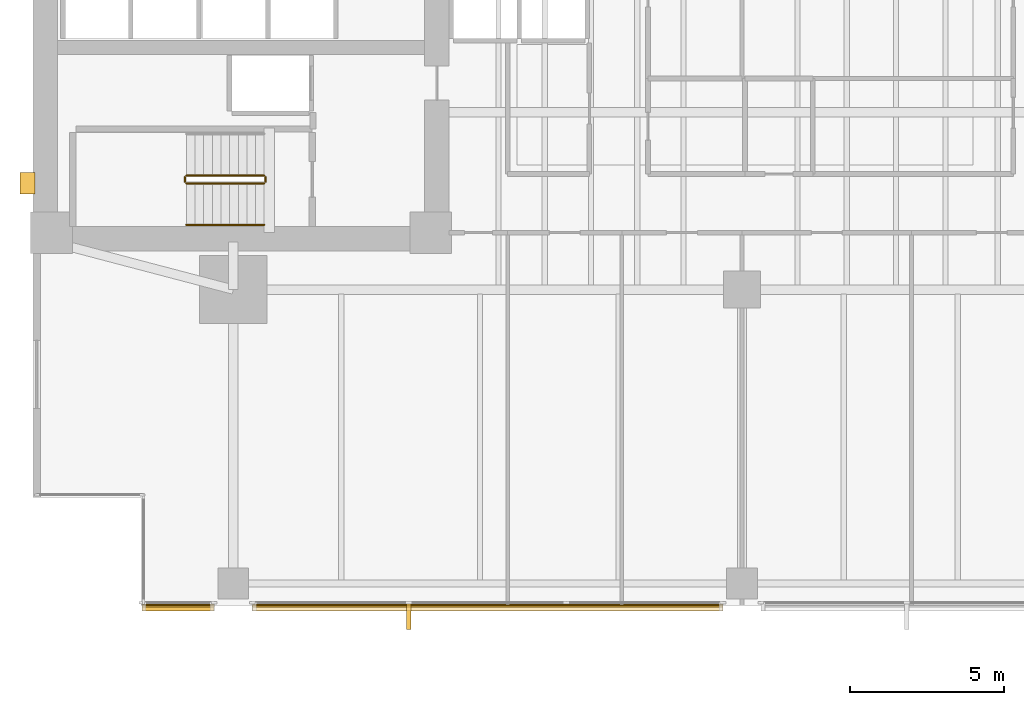
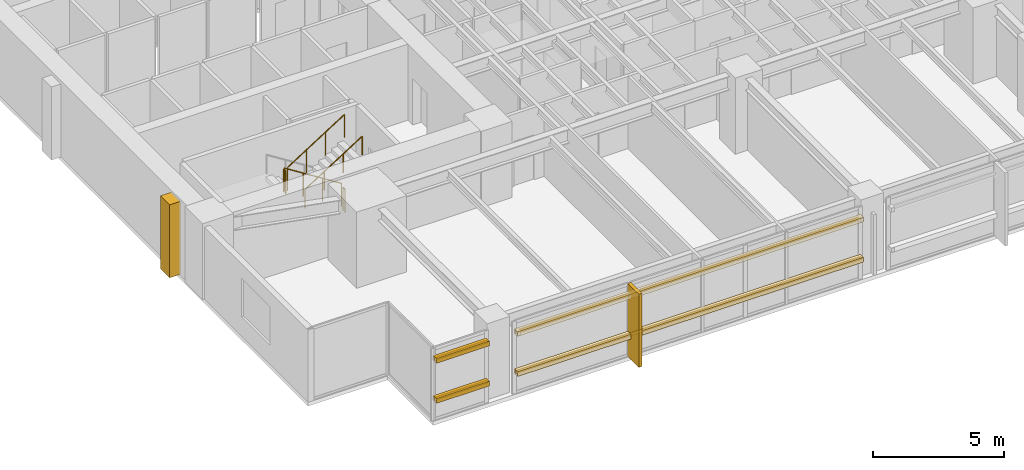
# One storey, part 12 of 15: 6 coverings, 5 railings, 4 shading devices.
"""IFC4 building model written with IfcOpenShell, lengths in metres."""

from ifc_helpers import new_model, si_unit, direction, frame, origin, origin_2d, place, context, subcontext, project, spatial, polyline, rectangle, circle, outline, extrude, material, layer, layer_set, material_profile, profile_set, type_object, element, save


model = new_model("IFC4")

# Units and contexts
model_context = context("Model", 3, precision=1e-05, world=origin(), true_north=direction((0.0, 1.0)))
body_context = subcontext(model_context, "Body", "Model", "MODEL_VIEW")
ifc_project = project(units=[si_unit("LENGTHUNIT", "METRE"), si_unit("AREAUNIT", "SQUARE_METRE"), si_unit("VOLUMEUNIT", "CUBIC_METRE"), si_unit("PLANEANGLEUNIT", "RADIAN"), si_unit("MASSUNIT", "GRAM", prefix="KILO")], contexts=[model_context])

# Site, building, storey
site_placement = place(None, origin())
site = spatial("IfcSite", under=ifc_project, at=site_placement, CompositionType="ELEMENT")
building_placement = place(site_placement, origin())
building = spatial("IfcBuilding", under=site, at=building_placement, Name="Kinhvarn Gate Tower", CompositionType="ELEMENT")
storey_placement = place(building_placement, frame((0.0, 0.0, 61.10009765625)))
storey = spatial("IfcBuildingStorey", under=building, at=storey_placement, Name="L15", CompositionType="ELEMENT", Elevation=61.10009765625)

# Coverings
ifc_material_1 = material(Name="Fired architectural terracotta", Category="masonry")
ifc_layer_1 = layer(ifc_material_1, 0.239990234375)
ifc_layer_set_1 = layer_set([ifc_layer_1], Name="Fired architectural terracotta")
covering_type_1 = type_object("IfcCoveringType", Name="COV-BAG-220", PredefinedType="CLADDING", material=ifc_layer_set_1)
for number, where, name in (
    (1, (0.0, 0.0, 0.93994140625), "Terracotta Horizontal Sunscreen Band TBG-220 (L15)"),
    (2, (0.0, 0.0, 2.809814453125), "Terracotta Horizontal Sunscreen Band TBG-220 (L15)"),
):
    element("IfcCovering", number, at=place(storey_placement, frame(where)), inside=storey, type_object=covering_type_1, Name=name, PredefinedType="CLADDING", context=body_context, shape_type="SweptSolid", body=[
        extrude(outline(polyline([(8.0400390625, 2.56005859375), (10.3798828125, 2.56005859375), (10.3798828125, 2.320068359375), (8.0400390625, 2.320068359375), (8.0400390625, 2.56005859375)])), origin(), (0.0, 0.0, 1.0), 0.219970703125),
    ])
for number, where, name in (
    (3, (0.0, 0.0, 0.93994140625), "Terracotta Horizontal Sunscreen Band TBG-220 (L15)"),
    (4, (0.0, 0.0, 2.809814453125), "Terracotta Horizontal Sunscreen Band TBG-220 (L15)"),
):
    element("IfcCovering", number, at=place(storey_placement, frame(where)), inside=storey, type_object=covering_type_1, Name=name, PredefinedType="CLADDING", context=body_context, shape_type="SweptSolid", body=[
        extrude(outline(polyline([(11.6201171875, 2.56005859375), (26.8798828125, 2.56005859375), (26.8798828125, 2.320068359375), (11.6201171875, 2.320068359375), (11.6201171875, 2.56005859375)])), origin(), (0.0, 0.0, 1.0), 0.219970703125),
    ])
ifc_layer_2 = layer(ifc_material_1, 0.139892578125)
ifc_layer_set_2 = layer_set([ifc_layer_2], Name="Fired architectural terracotta")
covering_type_2 = type_object("IfcCoveringType", Name="COV-FIN-850", PredefinedType="CLADDING", material=ifc_layer_set_2)
covering_1_placement = place(storey_placement, frame((0.0, 0.0, -0.02001953125)))
element("IfcCovering", 5, at=covering_1_placement, inside=storey, type_object=covering_type_2, Name="Vertical Terracotta Expressive Fin TFN-850 (L15)", PredefinedType="CLADDING", context=body_context, shape_type="SweptSolid", body=[
    extrude(outline(polyline([(16.623291015625, 2.570068359375), (16.76318359375, 2.570068359375), (16.76318359375, 1.719970703125), (16.623291015625, 1.719970703125), (16.623291015625, 2.570068359375)])), origin(), (0.0, 0.0, 1.0), 3.409912109375),
])
ifc_material_2 = material(Name="Precast white architectural concrete C40/50", Category="concrete")
ifc_layer_3 = layer(ifc_material_2, 0.47998046875)
ifc_layer_set_3 = layer_set([ifc_layer_3], Name="Precast white architectural concrete C40/50")
covering_type_3 = type_object("IfcCoveringType", Name="COV-RIB-450", PredefinedType="CLADDING", material=ifc_layer_set_3)
covering_2_placement = place(storey_placement, frame((0.0, 0.0, -0.02001953125)))
element("IfcCovering", 6, at=covering_2_placement, inside=storey, type_object=covering_type_3, Name="West Core Sculptural Concrete Relief Rib CRB-450 (L15)", PredefinedType="CLADDING", context=body_context, shape_type="SweptSolid", body=[
    extrude(outline(polyline([(4.080078125, 15.85009765625), (4.56005859375, 15.85009765625), (4.56005859375, 16.550048828125), (4.080078125, 16.550048828125), (4.080078125, 15.85009765625)])), origin(), (0.0, 0.0, 1.0), 3.409912109375),
])

# Railings
ifc_material_3 = material(Name="Steel S355", Category="steel")
railing_type_1 = type_object("IfcRailingType", Name="RL-ST-GRD", PredefinedType="BALUSTRADE", material=ifc_material_3)
railing_1_placement = place(storey_placement, frame((12.0, 16.449951171875, 0.177490234375)))
element("IfcRailing", 7, at=railing_1_placement, inside=storey, type_object=railing_type_1, Name="L15 ST1 stair guard 1", PredefinedType="BALUSTRADE", context=body_context, shape_type="SweptSolid", body=[
    extrude(circle(Radius=0.02392578125, at=origin_2d()), frame((0.0, 0.0, 1.076171875), z_axis=(-0.84460694969, 0.0, 0.535386869969), x_axis=(0.0, -1.0, 0.0)), (0.0, 0.0, 1.0), 2.983642578125),
    extrude(circle(Radius=0.02099609375, at=origin_2d()), origin(), (0.0, 0.0, 1.0), 1.052001953125),
    extrude(circle(Radius=0.02099609375, at=origin_2d()), frame((-0.840087890625, 0.0, 0.532470703125)), (0.0, 0.0, 1.0), 1.052001953125),
    extrude(circle(Radius=0.02099609375, at=origin_2d()), frame((-1.679931640625, 0.0, 1.06494140625)), (0.0, 0.0, 1.0), 1.052001953125),
    extrude(circle(Radius=0.02099609375, at=origin_2d()), frame((-2.52001953125, 0.0, 1.597412109375)), (0.0, 0.0, 1.0), 1.052001953125),
])
railing_2_placement = place(storey_placement, frame((9.429931640625, 16.39990234375, 1.77490234375)))
element("IfcRailing", 8, at=railing_2_placement, inside=storey, type_object=railing_type_1, Name="L15 ST1 stair guard 2", PredefinedType="BALUSTRADE", context=body_context, shape_type="SweptSolid", body=[
    extrude(circle(Radius=0.02392578125, at=origin_2d()), frame((0.0, 0.0, 1.076171875), z_axis=(0.0, -1.0, 0.0), x_axis=(1.0, 0.0, 0.0)), (0.0, 0.0, 1.0), 0.14990234375),
    extrude(circle(Radius=0.02099609375, at=origin_2d()), origin(), (0.0, 0.0, 1.0), 1.052001953125),
    extrude(circle(Radius=0.02099609375, at=origin_2d()), frame((0.0, -0.14990234375, 0.0)), (0.0, 0.0, 1.0), 1.052001953125),
])
railing_3_placement = place(storey_placement, frame((9.47998046875, 16.199951171875, 1.952392578125)))
element("IfcRailing", 9, at=railing_3_placement, inside=storey, type_object=railing_type_1, Name="L15 ST1 stair guard 3", PredefinedType="BALUSTRADE", context=body_context, shape_type="SweptSolid", body=[
    extrude(circle(Radius=0.02392578125, at=origin_2d()), frame((0.0, 0.0, 1.076171875), z_axis=(0.84460694969, 0.0, 0.535386869969), x_axis=(0.0, 1.0, 0.0)), (0.0, 0.0, 1.0), 2.983642578125),
    extrude(circle(Radius=0.02099609375, at=origin_2d()), origin(), (0.0, 0.0, 1.0), 1.052001953125),
    extrude(circle(Radius=0.02099609375, at=origin_2d()), frame((0.840087890625, 0.0, 0.532470703125)), (0.0, 0.0, 1.0), 1.052001953125),
    extrude(circle(Radius=0.02099609375, at=origin_2d()), frame((1.679931640625, 0.0, 1.06494140625)), (0.0, 0.0, 1.0), 1.052001953125),
    extrude(circle(Radius=0.02099609375, at=origin_2d()), frame((2.52001953125, 0.0, 1.597412109375)), (0.0, 0.0, 1.0), 1.052001953125),
])
railing_4_placement = place(storey_placement, frame((12.050048828125, 16.39990234375, 0.0)))
element("IfcRailing", 10, at=railing_4_placement, inside=storey, type_object=railing_type_1, Name="L15 ST1 stair guard 4", PredefinedType="BALUSTRADE", context=body_context, shape_type="SweptSolid", body=[
    extrude(circle(Radius=0.02392578125, at=origin_2d()), frame((0.0, 0.0, 1.076171875), z_axis=(0.0, -1.0, 0.0), x_axis=(1.0, 0.0, 0.0)), (0.0, 0.0, 1.0), 0.14990234375),
    extrude(circle(Radius=0.02099609375, at=origin_2d()), origin(), (0.0, 0.0, 1.0), 1.052001953125),
    extrude(circle(Radius=0.02099609375, at=origin_2d()), frame((0.0, -0.14990234375, 0.0)), (0.0, 0.0, 1.0), 1.052001953125),
])
railing_type_2 = type_object("IfcRailingType", Name="RL-ST-HND", PredefinedType="HANDRAIL", material=ifc_material_3)
railing_5_placement = place(storey_placement, frame((9.47998046875, 14.85009765625, 1.952392578125)))
element("IfcRailing", 11, at=railing_5_placement, inside=storey, type_object=railing_type_2, Name="L15 ST1 stair handrail 2", PredefinedType="HANDRAIL", context=body_context, shape_type="SweptSolid", body=[
    extrude(circle(Radius=0.02392578125, at=origin_2d()), frame((0.0, 0.0, 0.8759765625), z_axis=(0.84460694969, 0.0, 0.535386869969), x_axis=(0.0, 1.0, 0.0)), (0.0, 0.0, 1.0), 2.983642578125),
    extrude(circle(Radius=0.02099609375, at=origin_2d()), origin(), (0.0, 0.0, 1.0), 0.851806640625),
    extrude(circle(Radius=0.02099609375, at=origin_2d()), frame((0.840087890625, 0.0, 0.532470703125)), (0.0, 0.0, 1.0), 0.851806640625),
    extrude(circle(Radius=0.02099609375, at=origin_2d()), frame((1.679931640625, 0.0, 1.06494140625)), (0.0, 0.0, 1.0), 0.851806640625),
    extrude(circle(Radius=0.02099609375, at=origin_2d()), frame((2.52001953125, 0.0, 1.597412109375)), (0.0, 0.0, 1.0), 0.851806640625),
])

# Shading devices
ifc_material_profile = material_profile(ifc_material_1, rectangle(XDim=0.06005859375, YDim=0.139892578125, at=origin_2d()), Name="TC 60x140")
ifc_profile_set = profile_set([ifc_material_profile], Name="Fired architectural terracotta")
shading_device_type = type_object("IfcShadingDeviceType", Name="SHD-BAG-180", PredefinedType="USERDEFINED", material=ifc_profile_set)
for number, where, z_axis, x_axis, name in (
    (12, (8.0400390625, 2.485107421875, 1.0498046875), (1.0, 0.0, 0.0), (0.0, 1.0, 0.0), "Fired Terracotta Baguette Screen Rod 60x140 mm (L15)"),
    (13, (8.0400390625, 2.485107421875, 2.919921875), (1.0, 0.0, 0.0), (0.0, 1.0, 0.0), "Fired Terracotta Baguette Screen Rod 60x140 mm (L15)"),
):
    element("IfcShadingDevice", number, at=place(storey_placement, frame(where, z_axis=z_axis, x_axis=x_axis)), inside=storey, type_object=shading_device_type, Name=name, ObjectType="BAGUETTE", PredefinedType="USERDEFINED", context=body_context, shape_type="SweptSolid", body=[
        extrude(rectangle(XDim=0.06005859375, YDim=0.139892578125, at=origin_2d()), origin(), (0.0, 0.0, 1.0), 2.33984375),
    ])
for number, where, z_axis, x_axis, name in (
    (14, (11.6201171875, 2.485107421875, 1.0498046875), (1.0, 0.0, 0.0), (0.0, 1.0, 0.0), "Fired Terracotta Baguette Screen Rod 60x140 mm (L15)"),
    (15, (11.6201171875, 2.485107421875, 2.919921875), (1.0, 0.0, 0.0), (0.0, 1.0, 0.0), "Fired Terracotta Baguette Screen Rod 60x140 mm (L15)"),
):
    element("IfcShadingDevice", number, at=place(storey_placement, frame(where, z_axis=z_axis, x_axis=x_axis)), inside=storey, type_object=shading_device_type, Name=name, ObjectType="BAGUETTE", PredefinedType="USERDEFINED", context=body_context, shape_type="SweptSolid", body=[
        extrude(rectangle(XDim=0.06005859375, YDim=0.139892578125, at=origin_2d()), origin(), (0.0, 0.0, 1.0), 15.259765625),
    ])

save(model, "model.ifc")
